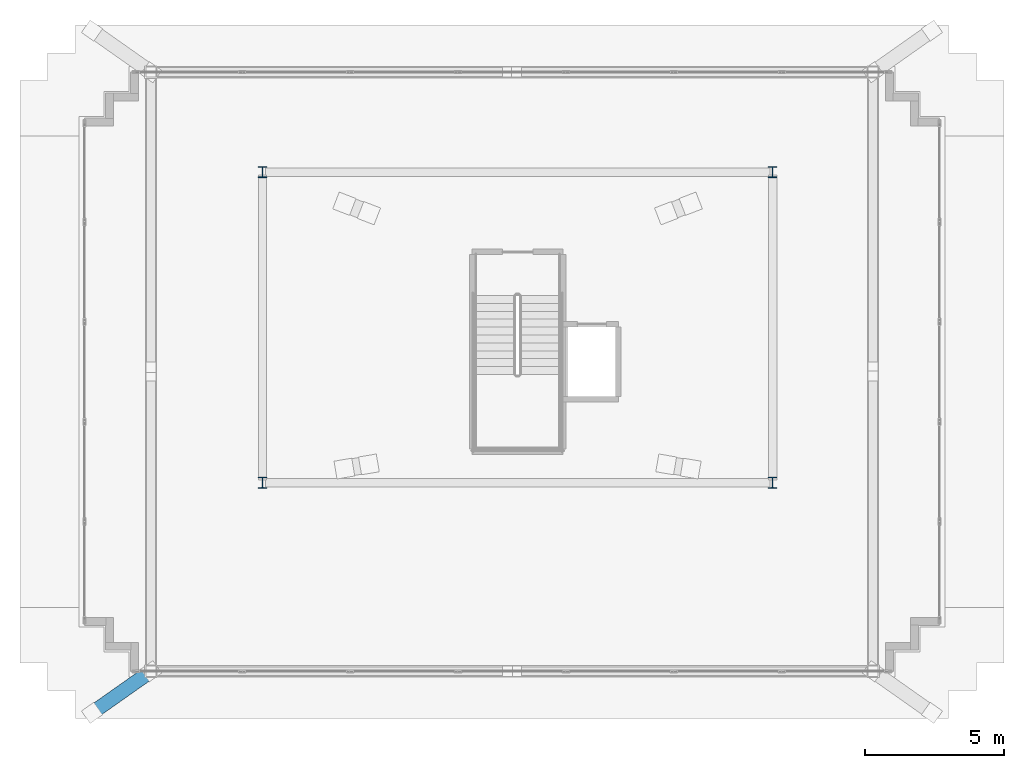
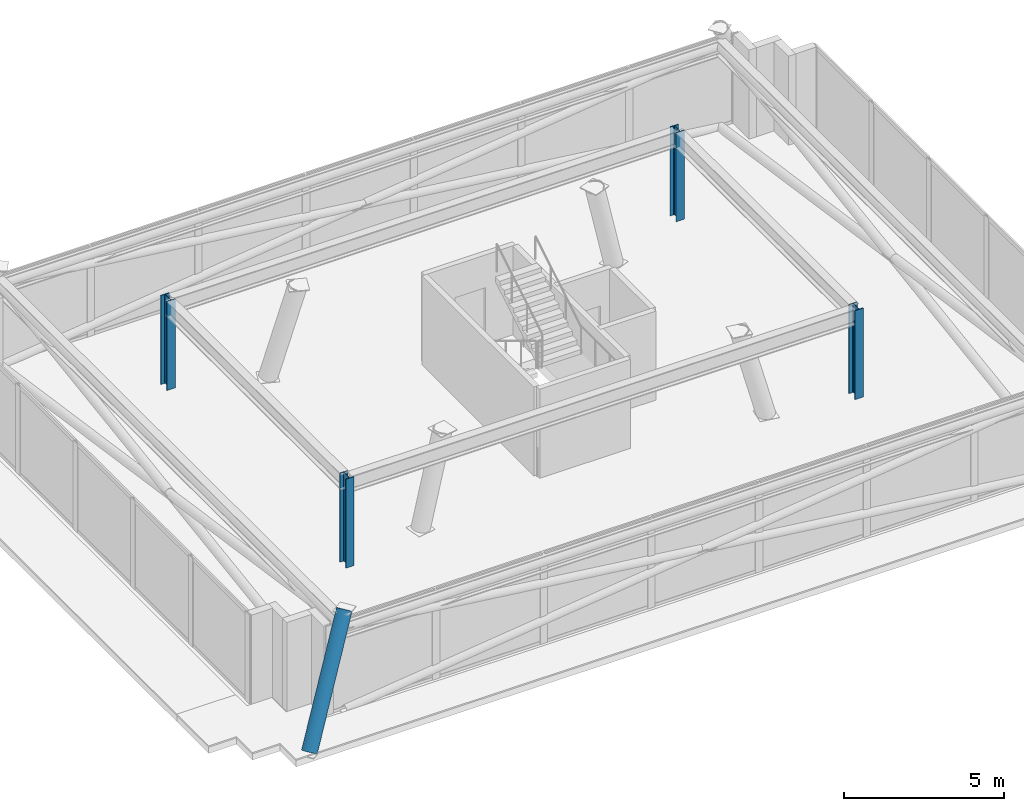
# One storey, part 1 of 15: 4 columns, 1 member.
"""IFC4 building model written with IfcOpenShell, lengths in metres."""

from ifc_helpers import new_model, si_unit, direction, frame, origin, origin_2d, place, context, subcontext, project, spatial, hollow_circle, i_section, extrude, material, material_profile, profile_set, type_object, element, save


model = new_model("IFC4")

# Units and contexts
model_context = context("Model", 3, precision=1e-05, world=origin(), true_north=direction((0.0, 1.0)))
body_context = subcontext(model_context, "Body", "Model", "MODEL_VIEW")
ifc_project = project(units=[si_unit("LENGTHUNIT", "METRE"), si_unit("AREAUNIT", "SQUARE_METRE"), si_unit("VOLUMEUNIT", "CUBIC_METRE"), si_unit("PLANEANGLEUNIT", "RADIAN"), si_unit("MASSUNIT", "GRAM", prefix="KILO")], contexts=[model_context])

# Site, building, storey
site_placement = place(None, origin())
site = spatial("IfcSite", under=ifc_project, at=site_placement, CompositionType="ELEMENT")
building_placement = place(site_placement, origin())
building = spatial("IfcBuilding", under=site, at=building_placement, Name="Qobustan Lattice House", CompositionType="ELEMENT")
storey_placement = place(building_placement, frame((0.0, 0.0, 281.60009765625)))
storey = spatial("IfcBuildingStorey", under=building, at=storey_placement, Name="L79", CompositionType="ELEMENT", Elevation=281.60009765625)

# Columns
ifc_material_1 = material(Name="Steel S355", Category="steel")
ifc_material_profile_1 = material_profile(ifc_material_1, i_section(OverallWidth=0.300048828125, OverallDepth=0.39990234375, WebThickness=0.013427734375, FlangeThickness=0.02392578125, FilletRadius=0.027099609375, at=origin_2d()), Name="HEB400")
ifc_profile_set_1 = profile_set([ifc_material_profile_1], Name="Steel S355")
column_type = type_object("IfcColumnType", Name="COL-ST-HEB400", PredefinedType="COLUMN", material=ifc_profile_set_1)
for number, where, z_axis, x_axis, name in (
    (1, (-9.199951171875, -5.60009765625, 0.0), (0.0, 0.0, 1.0), (1.0, 0.0, 0.0), "L79 crown plumb core column CRN-SW"),
    (2, (9.199951171875, -5.60009765625, 0.0), (0.0, 0.0, 1.0), (1.0, 0.0, 0.0), "L79 crown plumb core column CRN-SE"),
    (3, (9.199951171875, 5.60009765625, 0.0), (0.0, 0.0, 1.0), (1.0, 0.0, 0.0), "L79 crown plumb core column CRN-NE"),
    (4, (-9.199951171875, 5.60009765625, 0.0), (0.0, 0.0, 1.0), (1.0, 0.0, 0.0), "L79 crown plumb core column CRN-NW"),
):
    element("IfcColumn", number, at=place(storey_placement, frame(where, z_axis=z_axis, x_axis=x_axis)), inside=storey, type_object=column_type, Name=name, PredefinedType="COLUMN", context=body_context, shape_type="SweptSolid", body=[
        extrude(i_section(OverallWidth=0.300048828125, OverallDepth=0.39990234375, WebThickness=0.013427734375, FlangeThickness=0.02392578125, FilletRadius=0.027099609375, at=origin_2d()), origin(), (0.0, 0.0, 1.0), 3.39990234375),
    ])

# Member
ifc_material_2 = material(Name="Steel S355", Category="steel")
ifc_material_profile_2 = material_profile(ifc_material_2, hollow_circle(Radius=0.25390625, WallThickness=0.02001953125, at=origin_2d()), Name="CHS508x20")
ifc_profile_set_2 = profile_set([ifc_material_profile_2], Name="Steel S355")
member_type = type_object("IfcMemberType", Name="MEM-STR-CHS508", PredefinedType="STRUT", material=ifc_profile_set_2)
member_placement = place(storey_placement, frame((-15.346435546875, -13.903564453125, 0.0), z_axis=(0.461773572217, 0.32541517638, 0.825148550859), x_axis=(-0.576041902773, 0.817420165062, 0.0)))
element("IfcMember", 5, at=member_placement, inside=storey, type_object=member_type, Name="L79 crown corner raking strut 1", PredefinedType="STRUT", context=body_context, shape_type="SweptSolid", body=[
    extrude(hollow_circle(Radius=0.25390625, WallThickness=0.02001953125, at=origin_2d()), origin(), (0.0, 0.0, 1.0), 4.60498046875),
])

save(model, "model.ifc")
